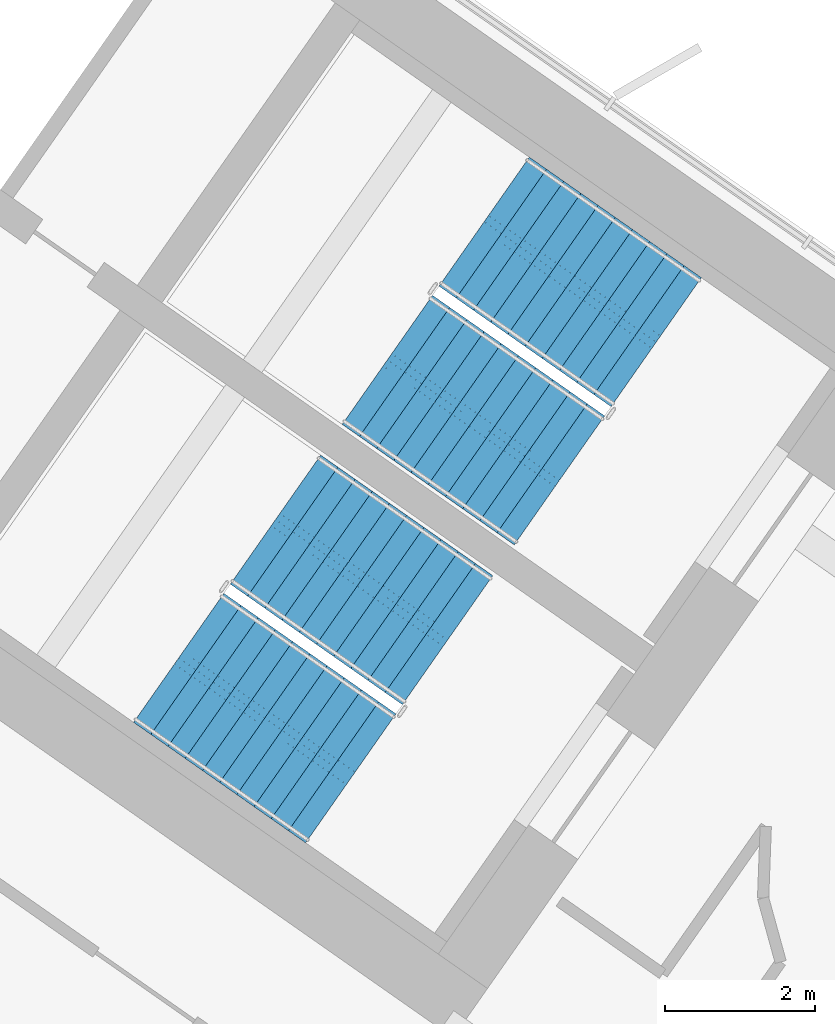
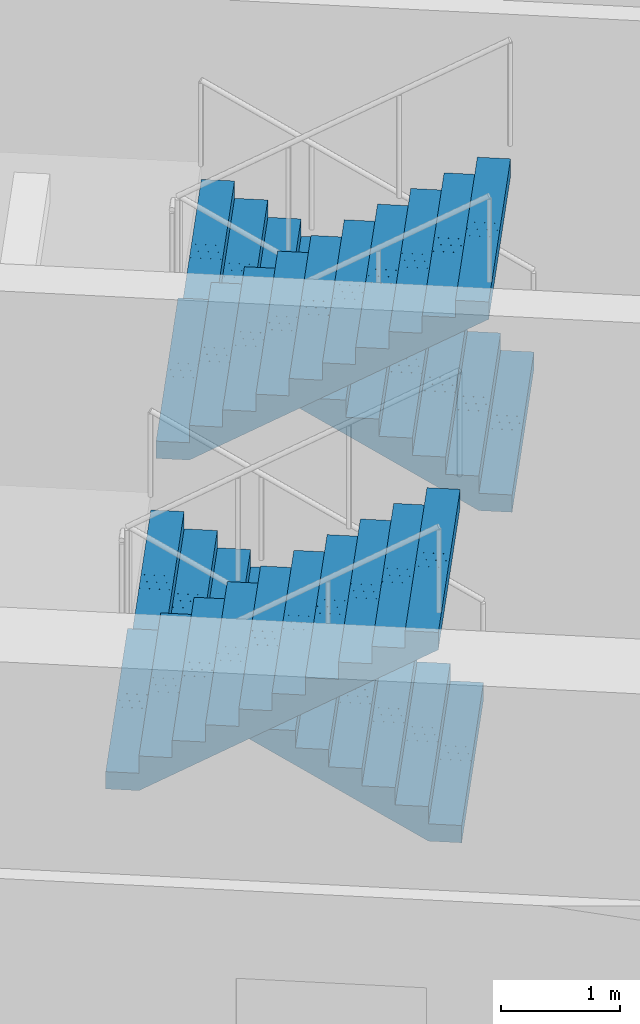
# One storey, part 16 of 21: 4 stair flights, 2 elements without a shape of their own.
"""IFC4 building model written with IfcOpenShell, lengths in metres."""

from ifc_helpers import new_model, si_unit, direction, frame, origin, place, context, subcontext, project, spatial, polyline, outline, extrude, material, type_object, element, aggregate, save


model = new_model("IFC4")

# Units and contexts
model_context = context("Model", 3, precision=1e-05, world=origin(), true_north=direction((0.0, 1.0)))
body_context = subcontext(model_context, "Body", "Model", "MODEL_VIEW")
ifc_project = project(units=[si_unit("LENGTHUNIT", "METRE"), si_unit("AREAUNIT", "SQUARE_METRE"), si_unit("VOLUMEUNIT", "CUBIC_METRE"), si_unit("PLANEANGLEUNIT", "RADIAN"), si_unit("MASSUNIT", "GRAM", prefix="KILO")], contexts=[model_context])

# Site, building, storey
site_placement = place(None, origin())
site = spatial("IfcSite", under=ifc_project, at=site_placement, CompositionType="ELEMENT")
building_placement = place(site_placement, origin())
building = spatial("IfcBuilding", under=site, at=building_placement, Name="Tel Ilan Convention Tower", CompositionType="ELEMENT")
storey_placement = place(building_placement, frame((0.0, 0.0, 206.10009765625)))
storey = spatial("IfcBuildingStorey", under=building, at=storey_placement, Name="L48", CompositionType="ELEMENT", Elevation=206.10009765625)

# Stair, stair flights
ifc_material_1 = material(Name="Concrete C40/50", Category="concrete")
stair_type = type_object("IfcStairType", Name="Pressurised Exit Stair 22 risers 177 mm", PredefinedType="HALF_TURN_STAIR", material=ifc_material_1)
stair_1_placement = place(storey_placement, origin())
stair_1 = element("IfcStair", 1, at=stair_1_placement, inside=storey, type_object=stair_type, Name="L48 Pressurised Stair S3", PredefinedType="HALF_TURN_STAIR")
ifc_material_2 = material(Name="Precast Concrete C40/50", Category="concrete")
stair_flight_type = type_object("IfcStairFlightType", Name="Concrete Stair Flight 2100 mm 22 risers 177 mm", PredefinedType="STRAIGHT", material=ifc_material_2)
stair_flight_1_placement = place(storey_placement, frame((24.25244140625, -7.032470703125, 0.0), z_axis=(0.0, 0.0, 1.0), x_axis=(-0.819152044289, 0.573576436351, 0.0)))
stair_flight_1 = element("IfcStairFlight", 2, at=stair_flight_1_placement, type_object=stair_flight_type, Name="S3 flight 1", NumberOfRisers=11, NumberOfTreads=10, PredefinedType="STRAIGHT", RiserHeight=0.177272727, TreadLength=0.28, context=body_context, shape_type="SweptSolid", body=[
    extrude(outline(polyline([(0.0, 0.0), (0.0, 0.17724609375), (0.280029296875, 0.17724609375), (0.280029296875, 0.3544921875), (0.56005859375, 0.3544921875), (0.56005859375, 0.53173828125), (0.840087890625, 0.53173828125), (0.840087890625, 0.708984375), (1.1201171875, 0.708984375), (1.1201171875, 0.886474609375), (1.39990234375, 0.886474609375), (1.39990234375, 1.063720703125), (1.679931640625, 1.063720703125), (1.679931640625, 1.240966796875), (1.9599609375, 1.240966796875), (1.9599609375, 1.418212890625), (2.239990234375, 1.418212890625), (2.239990234375, 1.595458984375), (2.52001953125, 1.595458984375), (2.52001953125, 1.772705078125), (2.800048828125, 1.772705078125), (2.800048828125, 1.949951171875), (2.800048828125, 1.59521484375), (0.2802734375, 0.0), (0.0, 0.0)])), frame((0.0, -0.100341796875, 0.0), z_axis=(0.0, -1.0, 0.0), x_axis=(1.0, 0.0, 0.0)), (0.0, 0.0, 1.0), 0.94970703125),
    extrude(outline(polyline([(0.0, 0.0), (0.0, 0.17724609375), (0.280029296875, 0.17724609375), (0.280029296875, 0.3544921875), (0.56005859375, 0.3544921875), (0.56005859375, 0.53173828125), (0.840087890625, 0.53173828125), (0.840087890625, 0.708984375), (1.1201171875, 0.708984375), (1.1201171875, 0.886474609375), (1.39990234375, 0.886474609375), (1.39990234375, 1.063720703125), (1.679931640625, 1.063720703125), (1.679931640625, 1.240966796875), (1.9599609375, 1.240966796875), (1.9599609375, 1.418212890625), (2.239990234375, 1.418212890625), (2.239990234375, 1.595458984375), (2.52001953125, 1.595458984375), (2.52001953125, 1.772705078125), (2.800048828125, 1.772705078125), (2.800048828125, 1.949951171875), (2.800048828125, 1.59521484375), (0.2802734375, 0.0), (0.0, 0.0)])), frame((0.0, -0.000244140625, 0.0), z_axis=(0.0, -1.0, 0.0), x_axis=(1.0, 0.0, 0.0)), (0.0, 0.0, 1.0), 0.099609375),
    extrude(outline(polyline([(0.0, 0.0), (0.0, 0.17724609375), (0.280029296875, 0.17724609375), (0.280029296875, 0.3544921875), (0.56005859375, 0.3544921875), (0.56005859375, 0.53173828125), (0.840087890625, 0.53173828125), (0.840087890625, 0.708984375), (1.1201171875, 0.708984375), (1.1201171875, 0.886474609375), (1.39990234375, 0.886474609375), (1.39990234375, 1.063720703125), (1.679931640625, 1.063720703125), (1.679931640625, 1.240966796875), (1.9599609375, 1.240966796875), (1.9599609375, 1.418212890625), (2.239990234375, 1.418212890625), (2.239990234375, 1.595458984375), (2.52001953125, 1.595458984375), (2.52001953125, 1.772705078125), (2.800048828125, 1.772705078125), (2.800048828125, 1.949951171875), (2.800048828125, 1.59521484375), (0.2802734375, 0.0), (0.0, 0.0)])), frame((0.0, 0.099853515625, 0.0), z_axis=(0.0, -1.0, 0.0), x_axis=(1.0, 0.0, 0.0)), (0.0, 0.0, 1.0), 0.099609375),
    extrude(outline(polyline([(0.0, 0.0), (0.0, 0.17724609375), (0.280029296875, 0.17724609375), (0.280029296875, 0.3544921875), (0.56005859375, 0.3544921875), (0.56005859375, 0.53173828125), (0.840087890625, 0.53173828125), (0.840087890625, 0.708984375), (1.1201171875, 0.708984375), (1.1201171875, 0.886474609375), (1.39990234375, 0.886474609375), (1.39990234375, 1.063720703125), (1.679931640625, 1.063720703125), (1.679931640625, 1.240966796875), (1.9599609375, 1.240966796875), (1.9599609375, 1.418212890625), (2.239990234375, 1.418212890625), (2.239990234375, 1.595458984375), (2.52001953125, 1.595458984375), (2.52001953125, 1.772705078125), (2.800048828125, 1.772705078125), (2.800048828125, 1.949951171875), (2.800048828125, 1.59521484375), (0.2802734375, 0.0), (0.0, 0.0)])), frame((0.0, 1.050048828125, 0.0), z_axis=(0.0, -1.0, 0.0), x_axis=(1.0, 0.0, 0.0)), (0.0, 0.0, 1.0), 0.94970703125),
])
stair_flight_2_placement = place(storey_placement, frame((20.668212890625, -7.26953125, 1.949951171875), z_axis=(0.0, 0.0, 1.0), x_axis=(0.819152044289, -0.573576436351, 0.0)))
stair_flight_2 = element("IfcStairFlight", 3, at=stair_flight_2_placement, type_object=stair_flight_type, Name="S3 flight 2", NumberOfRisers=11, NumberOfTreads=10, PredefinedType="STRAIGHT", RiserHeight=0.177272727, TreadLength=0.28, context=body_context, shape_type="SweptSolid", body=[
    extrude(outline(polyline([(0.0, 0.0), (0.0, 0.17724609375), (0.280029296875, 0.17724609375), (0.280029296875, 0.3544921875), (0.56005859375, 0.3544921875), (0.56005859375, 0.53173828125), (0.840087890625, 0.53173828125), (0.840087890625, 0.708984375), (1.1201171875, 0.708984375), (1.1201171875, 0.886474609375), (1.39990234375, 0.886474609375), (1.39990234375, 1.063720703125), (1.679931640625, 1.063720703125), (1.679931640625, 1.240966796875), (1.9599609375, 1.240966796875), (1.9599609375, 1.418212890625), (2.239990234375, 1.418212890625), (2.239990234375, 1.595458984375), (2.52001953125, 1.595458984375), (2.52001953125, 1.772705078125), (2.800048828125, 1.772705078125), (2.800048828125, 1.949951171875), (2.800048828125, 1.59521484375), (0.2802734375, 0.0), (0.0, 0.0)])), frame((0.0, -0.100341796875, 0.0), z_axis=(0.0, -1.0, 0.0), x_axis=(1.0, 0.0, 0.0)), (0.0, 0.0, 1.0), 0.94970703125),
    extrude(outline(polyline([(0.0, 0.0), (0.0, 0.17724609375), (0.280029296875, 0.17724609375), (0.280029296875, 0.3544921875), (0.56005859375, 0.3544921875), (0.56005859375, 0.53173828125), (0.840087890625, 0.53173828125), (0.840087890625, 0.708984375), (1.1201171875, 0.708984375), (1.1201171875, 0.886474609375), (1.39990234375, 0.886474609375), (1.39990234375, 1.063720703125), (1.679931640625, 1.063720703125), (1.679931640625, 1.240966796875), (1.9599609375, 1.240966796875), (1.9599609375, 1.418212890625), (2.239990234375, 1.418212890625), (2.239990234375, 1.595458984375), (2.52001953125, 1.595458984375), (2.52001953125, 1.772705078125), (2.800048828125, 1.772705078125), (2.800048828125, 1.949951171875), (2.800048828125, 1.59521484375), (0.2802734375, 0.0), (0.0, 0.0)])), frame((0.0, -0.000244140625, 0.0), z_axis=(0.0, -1.0, 0.0), x_axis=(1.0, 0.0, 0.0)), (0.0, 0.0, 1.0), 0.099609375),
    extrude(outline(polyline([(0.0, 0.0), (0.0, 0.17724609375), (0.280029296875, 0.17724609375), (0.280029296875, 0.3544921875), (0.56005859375, 0.3544921875), (0.56005859375, 0.53173828125), (0.840087890625, 0.53173828125), (0.840087890625, 0.708984375), (1.1201171875, 0.708984375), (1.1201171875, 0.886474609375), (1.39990234375, 0.886474609375), (1.39990234375, 1.063720703125), (1.679931640625, 1.063720703125), (1.679931640625, 1.240966796875), (1.9599609375, 1.240966796875), (1.9599609375, 1.418212890625), (2.239990234375, 1.418212890625), (2.239990234375, 1.595458984375), (2.52001953125, 1.595458984375), (2.52001953125, 1.772705078125), (2.800048828125, 1.772705078125), (2.800048828125, 1.949951171875), (2.800048828125, 1.59521484375), (0.2802734375, 0.0), (0.0, 0.0)])), frame((0.0, 0.099853515625, 0.0), z_axis=(0.0, -1.0, 0.0), x_axis=(1.0, 0.0, 0.0)), (0.0, 0.0, 1.0), 0.099609375),
    extrude(outline(polyline([(0.0, 0.0), (0.0, 0.17724609375), (0.280029296875, 0.17724609375), (0.280029296875, 0.3544921875), (0.56005859375, 0.3544921875), (0.56005859375, 0.53173828125), (0.840087890625, 0.53173828125), (0.840087890625, 0.708984375), (1.1201171875, 0.708984375), (1.1201171875, 0.886474609375), (1.39990234375, 0.886474609375), (1.39990234375, 1.063720703125), (1.679931640625, 1.063720703125), (1.679931640625, 1.240966796875), (1.9599609375, 1.240966796875), (1.9599609375, 1.418212890625), (2.239990234375, 1.418212890625), (2.239990234375, 1.595458984375), (2.52001953125, 1.595458984375), (2.52001953125, 1.772705078125), (2.800048828125, 1.772705078125), (2.800048828125, 1.949951171875), (2.800048828125, 1.59521484375), (0.2802734375, 0.0), (0.0, 0.0)])), frame((0.0, 1.050048828125, 0.0), z_axis=(0.0, -1.0, 0.0), x_axis=(1.0, 0.0, 0.0)), (0.0, 0.0, 1.0), 0.94970703125),
])
aggregate(stair_1, [stair_flight_1, stair_flight_2])

stair_2_placement = place(storey_placement, origin())
stair_2 = element("IfcStair", 4, at=stair_2_placement, inside=storey, type_object=stair_type, Name="L48 Pressurised Stair S4", PredefinedType="HALF_TURN_STAIR")
stair_flight_3_placement = place(storey_placement, frame((21.470458984375, -11.00537109375, 0.0), z_axis=(0.0, 0.0, 1.0), x_axis=(-0.819152044289, 0.573576436351, 0.0)))
stair_flight_3 = element("IfcStairFlight", 5, at=stair_flight_3_placement, type_object=stair_flight_type, Name="S4 flight 1", NumberOfRisers=11, NumberOfTreads=10, PredefinedType="STRAIGHT", RiserHeight=0.177272727, TreadLength=0.28, context=body_context, shape_type="SweptSolid", body=[
    extrude(outline(polyline([(0.0, 0.0), (0.0, 0.17724609375), (0.280029296875, 0.17724609375), (0.280029296875, 0.3544921875), (0.56005859375, 0.3544921875), (0.56005859375, 0.53173828125), (0.840087890625, 0.53173828125), (0.840087890625, 0.708984375), (1.1201171875, 0.708984375), (1.1201171875, 0.886474609375), (1.39990234375, 0.886474609375), (1.39990234375, 1.063720703125), (1.679931640625, 1.063720703125), (1.679931640625, 1.240966796875), (1.9599609375, 1.240966796875), (1.9599609375, 1.418212890625), (2.239990234375, 1.418212890625), (2.239990234375, 1.595458984375), (2.52001953125, 1.595458984375), (2.52001953125, 1.772705078125), (2.800048828125, 1.772705078125), (2.800048828125, 1.949951171875), (2.800048828125, 1.59521484375), (0.2802734375, 0.0), (0.0, 0.0)])), frame((0.0, -0.100341796875, 0.0), z_axis=(0.0, -1.0, 0.0), x_axis=(1.0, 0.0, 0.0)), (0.0, 0.0, 1.0), 0.94970703125),
    extrude(outline(polyline([(0.0, 0.0), (0.0, 0.17724609375), (0.280029296875, 0.17724609375), (0.280029296875, 0.3544921875), (0.56005859375, 0.3544921875), (0.56005859375, 0.53173828125), (0.840087890625, 0.53173828125), (0.840087890625, 0.708984375), (1.1201171875, 0.708984375), (1.1201171875, 0.886474609375), (1.39990234375, 0.886474609375), (1.39990234375, 1.063720703125), (1.679931640625, 1.063720703125), (1.679931640625, 1.240966796875), (1.9599609375, 1.240966796875), (1.9599609375, 1.418212890625), (2.239990234375, 1.418212890625), (2.239990234375, 1.595458984375), (2.52001953125, 1.595458984375), (2.52001953125, 1.772705078125), (2.800048828125, 1.772705078125), (2.800048828125, 1.949951171875), (2.800048828125, 1.59521484375), (0.2802734375, 0.0), (0.0, 0.0)])), frame((0.0, -0.000244140625, 0.0), z_axis=(0.0, -1.0, 0.0), x_axis=(1.0, 0.0, 0.0)), (0.0, 0.0, 1.0), 0.099609375),
    extrude(outline(polyline([(0.0, 0.0), (0.0, 0.17724609375), (0.280029296875, 0.17724609375), (0.280029296875, 0.3544921875), (0.56005859375, 0.3544921875), (0.56005859375, 0.53173828125), (0.840087890625, 0.53173828125), (0.840087890625, 0.708984375), (1.1201171875, 0.708984375), (1.1201171875, 0.886474609375), (1.39990234375, 0.886474609375), (1.39990234375, 1.063720703125), (1.679931640625, 1.063720703125), (1.679931640625, 1.240966796875), (1.9599609375, 1.240966796875), (1.9599609375, 1.418212890625), (2.239990234375, 1.418212890625), (2.239990234375, 1.595458984375), (2.52001953125, 1.595458984375), (2.52001953125, 1.772705078125), (2.800048828125, 1.772705078125), (2.800048828125, 1.949951171875), (2.800048828125, 1.59521484375), (0.2802734375, 0.0), (0.0, 0.0)])), frame((0.0, 0.099853515625, 0.0), z_axis=(0.0, -1.0, 0.0), x_axis=(1.0, 0.0, 0.0)), (0.0, 0.0, 1.0), 0.099609375),
    extrude(outline(polyline([(0.0, 0.0), (0.0, 0.17724609375), (0.280029296875, 0.17724609375), (0.280029296875, 0.3544921875), (0.56005859375, 0.3544921875), (0.56005859375, 0.53173828125), (0.840087890625, 0.53173828125), (0.840087890625, 0.708984375), (1.1201171875, 0.708984375), (1.1201171875, 0.886474609375), (1.39990234375, 0.886474609375), (1.39990234375, 1.063720703125), (1.679931640625, 1.063720703125), (1.679931640625, 1.240966796875), (1.9599609375, 1.240966796875), (1.9599609375, 1.418212890625), (2.239990234375, 1.418212890625), (2.239990234375, 1.595458984375), (2.52001953125, 1.595458984375), (2.52001953125, 1.772705078125), (2.800048828125, 1.772705078125), (2.800048828125, 1.949951171875), (2.800048828125, 1.59521484375), (0.2802734375, 0.0), (0.0, 0.0)])), frame((0.0, 1.050048828125, 0.0), z_axis=(0.0, -1.0, 0.0), x_axis=(1.0, 0.0, 0.0)), (0.0, 0.0, 1.0), 0.94970703125),
])
stair_flight_4_placement = place(storey_placement, frame((17.886474609375, -11.242431640625, 1.949951171875), z_axis=(0.0, 0.0, 1.0), x_axis=(0.819152044289, -0.573576436351, 0.0)))
stair_flight_4 = element("IfcStairFlight", 6, at=stair_flight_4_placement, type_object=stair_flight_type, Name="S4 flight 2", NumberOfRisers=11, NumberOfTreads=10, PredefinedType="STRAIGHT", RiserHeight=0.177272727, TreadLength=0.28, context=body_context, shape_type="SweptSolid", body=[
    extrude(outline(polyline([(0.0, 0.0), (0.0, 0.17724609375), (0.280029296875, 0.17724609375), (0.280029296875, 0.3544921875), (0.56005859375, 0.3544921875), (0.56005859375, 0.53173828125), (0.840087890625, 0.53173828125), (0.840087890625, 0.708984375), (1.1201171875, 0.708984375), (1.1201171875, 0.886474609375), (1.39990234375, 0.886474609375), (1.39990234375, 1.063720703125), (1.679931640625, 1.063720703125), (1.679931640625, 1.240966796875), (1.9599609375, 1.240966796875), (1.9599609375, 1.418212890625), (2.239990234375, 1.418212890625), (2.239990234375, 1.595458984375), (2.52001953125, 1.595458984375), (2.52001953125, 1.772705078125), (2.800048828125, 1.772705078125), (2.800048828125, 1.949951171875), (2.800048828125, 1.59521484375), (0.2802734375, 0.0), (0.0, 0.0)])), frame((0.0, -0.100341796875, 0.0), z_axis=(0.0, -1.0, 0.0), x_axis=(1.0, 0.0, 0.0)), (0.0, 0.0, 1.0), 0.94970703125),
    extrude(outline(polyline([(0.0, 0.0), (0.0, 0.17724609375), (0.280029296875, 0.17724609375), (0.280029296875, 0.3544921875), (0.56005859375, 0.3544921875), (0.56005859375, 0.53173828125), (0.840087890625, 0.53173828125), (0.840087890625, 0.708984375), (1.1201171875, 0.708984375), (1.1201171875, 0.886474609375), (1.39990234375, 0.886474609375), (1.39990234375, 1.063720703125), (1.679931640625, 1.063720703125), (1.679931640625, 1.240966796875), (1.9599609375, 1.240966796875), (1.9599609375, 1.418212890625), (2.239990234375, 1.418212890625), (2.239990234375, 1.595458984375), (2.52001953125, 1.595458984375), (2.52001953125, 1.772705078125), (2.800048828125, 1.772705078125), (2.800048828125, 1.949951171875), (2.800048828125, 1.59521484375), (0.2802734375, 0.0), (0.0, 0.0)])), frame((0.0, -0.000244140625, 0.0), z_axis=(0.0, -1.0, 0.0), x_axis=(1.0, 0.0, 0.0)), (0.0, 0.0, 1.0), 0.099609375),
    extrude(outline(polyline([(0.0, 0.0), (0.0, 0.17724609375), (0.280029296875, 0.17724609375), (0.280029296875, 0.3544921875), (0.56005859375, 0.3544921875), (0.56005859375, 0.53173828125), (0.840087890625, 0.53173828125), (0.840087890625, 0.708984375), (1.1201171875, 0.708984375), (1.1201171875, 0.886474609375), (1.39990234375, 0.886474609375), (1.39990234375, 1.063720703125), (1.679931640625, 1.063720703125), (1.679931640625, 1.240966796875), (1.9599609375, 1.240966796875), (1.9599609375, 1.418212890625), (2.239990234375, 1.418212890625), (2.239990234375, 1.595458984375), (2.52001953125, 1.595458984375), (2.52001953125, 1.772705078125), (2.800048828125, 1.772705078125), (2.800048828125, 1.949951171875), (2.800048828125, 1.59521484375), (0.2802734375, 0.0), (0.0, 0.0)])), frame((0.0, 0.099853515625, 0.0), z_axis=(0.0, -1.0, 0.0), x_axis=(1.0, 0.0, 0.0)), (0.0, 0.0, 1.0), 0.099609375),
    extrude(outline(polyline([(0.0, 0.0), (0.0, 0.17724609375), (0.280029296875, 0.17724609375), (0.280029296875, 0.3544921875), (0.56005859375, 0.3544921875), (0.56005859375, 0.53173828125), (0.840087890625, 0.53173828125), (0.840087890625, 0.708984375), (1.1201171875, 0.708984375), (1.1201171875, 0.886474609375), (1.39990234375, 0.886474609375), (1.39990234375, 1.063720703125), (1.679931640625, 1.063720703125), (1.679931640625, 1.240966796875), (1.9599609375, 1.240966796875), (1.9599609375, 1.418212890625), (2.239990234375, 1.418212890625), (2.239990234375, 1.595458984375), (2.52001953125, 1.595458984375), (2.52001953125, 1.772705078125), (2.800048828125, 1.772705078125), (2.800048828125, 1.949951171875), (2.800048828125, 1.59521484375), (0.2802734375, 0.0), (0.0, 0.0)])), frame((0.0, 1.050048828125, 0.0), z_axis=(0.0, -1.0, 0.0), x_axis=(1.0, 0.0, 0.0)), (0.0, 0.0, 1.0), 0.94970703125),
])
aggregate(stair_2, [stair_flight_3, stair_flight_4])

save(model, "model.ifc")
